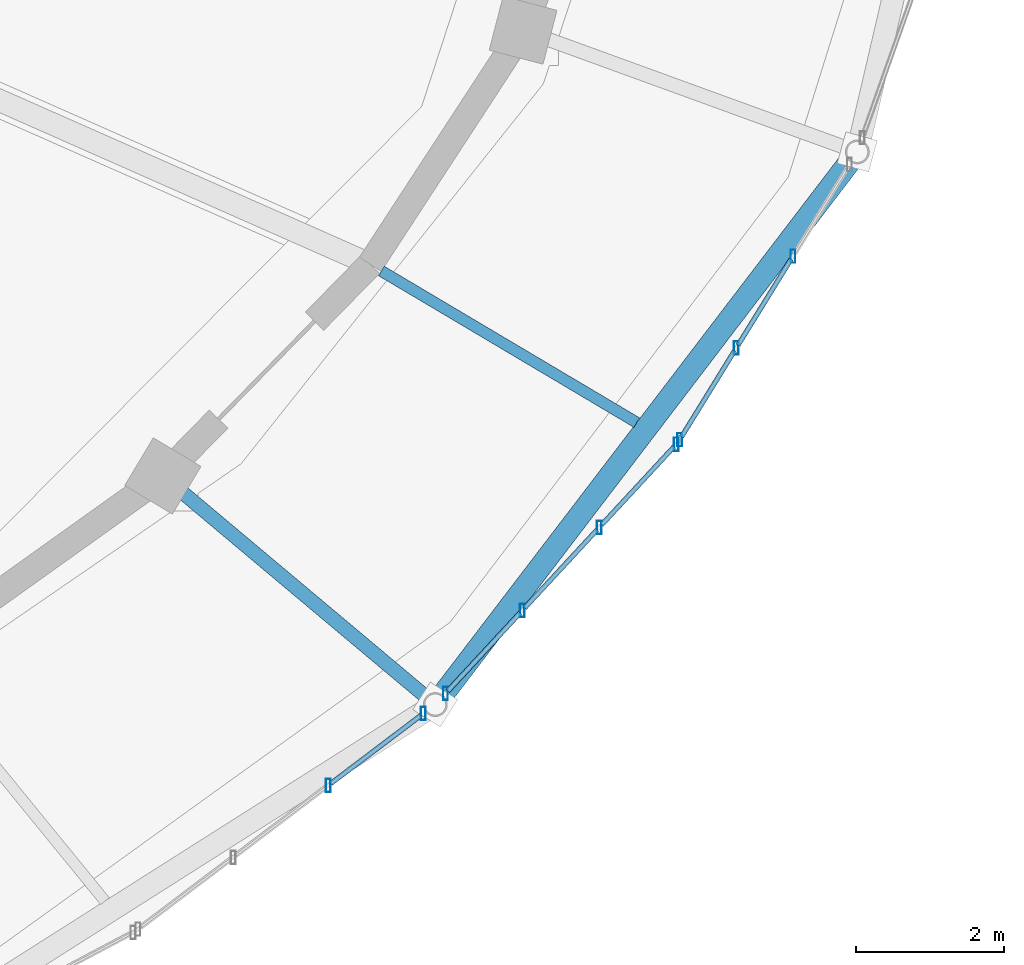
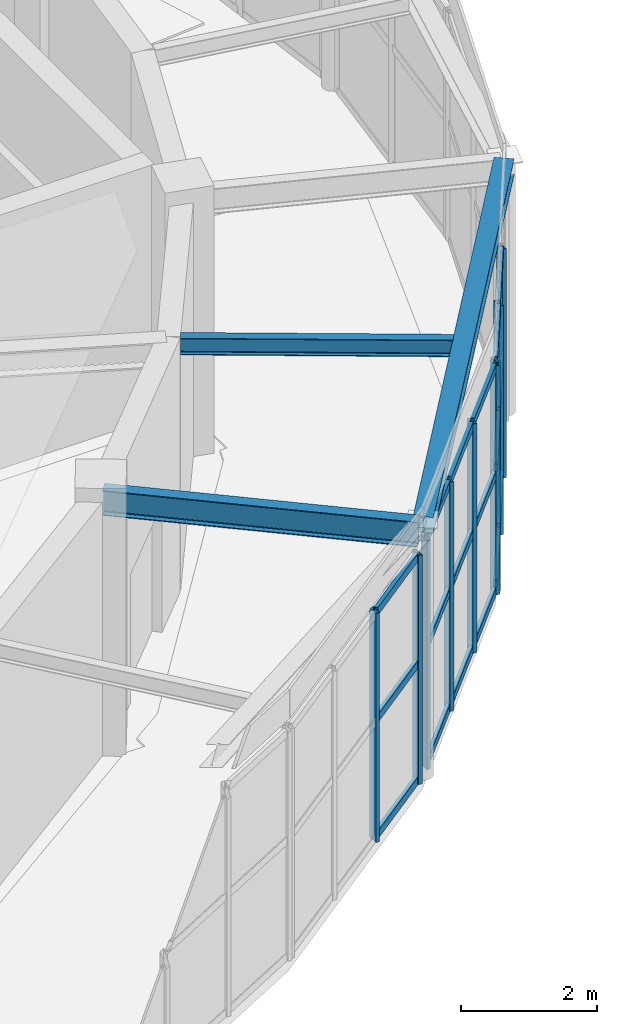
# One storey, part 45 of 108: 27 members, 3 beams, 3 elements without a shape of their own.
"""IFC4 building model written with IfcOpenShell, lengths in metres."""

from ifc_helpers import new_model, si_unit, direction, frame, origin, origin_2d, place, context, subcontext, project, spatial, hollow_rectangle, i_section, extrude, material, material_profile, profile_set, type_object, element, aggregate, save


model = new_model("IFC4")

# Units and contexts
model_context = context("Model", 3, precision=1e-05, world=origin(), true_north=direction((0.0, 1.0)))
body_context = subcontext(model_context, "Body", "Model", "MODEL_VIEW")
ifc_project = project(units=[si_unit("LENGTHUNIT", "METRE"), si_unit("AREAUNIT", "SQUARE_METRE"), si_unit("VOLUMEUNIT", "CUBIC_METRE"), si_unit("PLANEANGLEUNIT", "RADIAN"), si_unit("MASSUNIT", "GRAM", prefix="KILO")], contexts=[model_context])

# Site, building, storey
site_placement = place(None, origin())
site = spatial("IfcSite", under=ifc_project, at=site_placement, CompositionType="ELEMENT")
building_placement = place(site_placement, origin())
building = spatial("IfcBuilding", under=site, at=building_placement, Name="Tarnveldt Headland Concert Hall", CompositionType="ELEMENT")
storey_placement = place(building_placement, frame((0.0, 0.0, 9.60009765625)))
storey = spatial("IfcBuildingStorey", under=building, at=storey_placement, Name="L02", CompositionType="ELEMENT", Elevation=9.60009765625)

# Curtain wall, members
ifc_material_1 = material(Name="Marine-anodised aluminium EN AW-6063-T6", Category="aluminium")
curtain_wall_type = type_object("IfcCurtainWallType", Name="CW-F3", PredefinedType="NOTDEFINED", material=ifc_material_1)
curtain_wall_1_placement = place(storey_placement, origin())
curtain_wall_1 = element("IfcCurtainWall", 1, at=curtain_wall_1_placement, inside=storey, type_object=curtain_wall_type, Name="Curtain wall CW-L02-090", PredefinedType="NOTDEFINED")
ifc_material_profile_1 = material_profile(ifc_material_1, hollow_rectangle(XDim=0.06494140625, YDim=0.179931640625, WallThickness=0.00390625, at=origin_2d()), Name="ALU MULLION 65x180x4", Category="aluminium")
ifc_profile_set_1 = profile_set([ifc_material_profile_1], Name="Marine-anodised aluminium EN AW-6063-T6")
member_type_1 = type_object("IfcMemberType", Name="ML-180", PredefinedType="MULLION", material=ifc_profile_set_1)
member_1_placement = place(storey_placement, frame((107.181884765625, 37.466796875, 0.0), z_axis=(0.0, 0.0, 1.0), x_axis=(1.0, 0.0, 0.0)))
member_1 = element("IfcMember", 2, at=member_1_placement, type_object=member_type_1, Name="Mullion CW-L02-090-3", PredefinedType="MULLION", context=body_context, shape_type="SweptSolid", body=[
    extrude(hollow_rectangle(XDim=0.06494140625, YDim=0.179931640625, WallThickness=0.00390625, at=origin_2d()), origin(), (0.0, 0.0, 1.0), 4.10791015625),
])
member_2_placement = place(storey_placement, frame((108.465087890625, 38.43701171875, 0.0), z_axis=(0.0, 0.0, 1.0), x_axis=(1.0, 0.0, 0.0)))
member_2 = element("IfcMember", 3, at=member_2_placement, type_object=member_type_1, Name="Mullion CW-L02-090-4", PredefinedType="MULLION", context=body_context, shape_type="SweptSolid", body=[
    extrude(hollow_rectangle(XDim=0.06494140625, YDim=0.179931640625, WallThickness=0.00390625, at=origin_2d()), origin(), (0.0, 0.0, 1.0), 4.10791015625),
])

curtain_wall_2_placement = place(storey_placement, origin())
curtain_wall_2 = element("IfcCurtainWall", 4, at=curtain_wall_2_placement, inside=storey, type_object=curtain_wall_type, Name="Curtain wall CW-L02-091", PredefinedType="NOTDEFINED")
member_3_placement = place(storey_placement, frame((108.763427734375, 38.70703125, 0.0), z_axis=(0.0, 0.0, 1.0), x_axis=(1.0, 0.0, 0.0)))
member_3 = element("IfcMember", 5, at=member_3_placement, type_object=member_type_1, Name="Mullion CW-L02-091-1", PredefinedType="MULLION", context=body_context, shape_type="SweptSolid", body=[
    extrude(hollow_rectangle(XDim=0.06494140625, YDim=0.179931640625, WallThickness=0.00390625, at=origin_2d()), origin(), (0.0, 0.0, 1.0), 4.10791015625),
])
member_4_placement = place(storey_placement, frame((109.8017578125, 39.828369140625, 0.0), z_axis=(0.0, 0.0, 1.0), x_axis=(1.0, 0.0, 0.0)))
member_4 = element("IfcMember", 6, at=member_4_placement, type_object=member_type_1, Name="Mullion CW-L02-091-2", PredefinedType="MULLION", context=body_context, shape_type="SweptSolid", body=[
    extrude(hollow_rectangle(XDim=0.06494140625, YDim=0.179931640625, WallThickness=0.00390625, at=origin_2d()), origin(), (0.0, 0.0, 1.0), 4.10791015625),
])
member_5_placement = place(storey_placement, frame((110.840087890625, 40.949462890625, 0.0), z_axis=(0.0, 0.0, 1.0), x_axis=(1.0, 0.0, 0.0)))
member_5 = element("IfcMember", 7, at=member_5_placement, type_object=member_type_1, Name="Mullion CW-L02-091-3", PredefinedType="MULLION", context=body_context, shape_type="SweptSolid", body=[
    extrude(hollow_rectangle(XDim=0.06494140625, YDim=0.179931640625, WallThickness=0.00390625, at=origin_2d()), origin(), (0.0, 0.0, 1.0), 4.10791015625),
])
member_6_placement = place(storey_placement, frame((111.87841796875, 42.07080078125, 0.0), z_axis=(0.0, 0.0, 1.0), x_axis=(1.0, 0.0, 0.0)))
member_6 = element("IfcMember", 8, at=member_6_placement, type_object=member_type_1, Name="Mullion CW-L02-091-4", PredefinedType="MULLION", context=body_context, shape_type="SweptSolid", body=[
    extrude(hollow_rectangle(XDim=0.06494140625, YDim=0.179931640625, WallThickness=0.00390625, at=origin_2d()), origin(), (0.0, 0.0, 1.0), 4.10791015625),
])

curtain_wall_3_placement = place(storey_placement, origin())
curtain_wall_3 = element("IfcCurtainWall", 9, at=curtain_wall_3_placement, inside=storey, type_object=curtain_wall_type, Name="Curtain wall CW-L02-092", PredefinedType="NOTDEFINED")
member_7_placement = place(storey_placement, frame((111.926513671875, 42.134033203125, 0.0), z_axis=(0.0, 0.0, 1.0), x_axis=(1.0, 0.0, 0.0)))
member_7 = element("IfcMember", 10, at=member_7_placement, type_object=member_type_1, Name="Mullion CW-L02-092-1", PredefinedType="MULLION", context=body_context, shape_type="SweptSolid", body=[
    extrude(hollow_rectangle(XDim=0.06494140625, YDim=0.179931640625, WallThickness=0.00390625, at=origin_2d()), origin(), (0.0, 0.0, 1.0), 4.10791015625),
])
member_8_placement = place(storey_placement, frame((112.689697265625, 43.371337890625, 0.0), z_axis=(0.0, 0.0, 1.0), x_axis=(1.0, 0.0, 0.0)))
member_8 = element("IfcMember", 11, at=member_8_placement, type_object=member_type_1, Name="Mullion CW-L02-092-2", PredefinedType="MULLION", context=body_context, shape_type="SweptSolid", body=[
    extrude(hollow_rectangle(XDim=0.06494140625, YDim=0.179931640625, WallThickness=0.00390625, at=origin_2d()), origin(), (0.0, 0.0, 1.0), 4.10791015625),
])
member_9_placement = place(storey_placement, frame((113.452880859375, 44.608642578125, 0.0), z_axis=(0.0, 0.0, 1.0), x_axis=(1.0, 0.0, 0.0)))
member_9 = element("IfcMember", 12, at=member_9_placement, type_object=member_type_1, Name="Mullion CW-L02-092-3", PredefinedType="MULLION", context=body_context, shape_type="SweptSolid", body=[
    extrude(hollow_rectangle(XDim=0.06494140625, YDim=0.179931640625, WallThickness=0.00390625, at=origin_2d()), origin(), (0.0, 0.0, 1.0), 4.10791015625),
])

# Beams
ifc_material_2 = material(Name="Steel S355", Category="steel")
ifc_material_profile_2 = material_profile(ifc_material_2, i_section(OverallWidth=0.300048828125, OverallDepth=0.2900390625, WebThickness=0.008544921875, FlangeThickness=0.013916015625, FilletRadius=0.027099609375, at=origin_2d()), Name="HEA300", Category="steel")
ifc_profile_set_2 = profile_set([ifc_material_profile_2], Name="Steel S355")
beam_type_1 = type_object("IfcBeamType", Name="SB-HEA300", PredefinedType="SPANDREL", material=ifc_profile_set_2)
beam_1_placement = place(storey_placement, frame((108.66259765625, 38.606689453125, 4.4248046875), z_axis=(0.606896353007, 0.794780986629, 0.0), x_axis=(-0.794780986629, 0.606896353007, 0.0)))
element("IfcBeam", 13, at=beam_1_placement, inside=storey, type_object=beam_type_1, Name="Framing beam L02-1043", PredefinedType="SPANDREL", context=body_context, shape_type="SweptSolid", body=[
    extrude(i_section(OverallWidth=0.300048828125, OverallDepth=0.2900390625, WebThickness=0.008544921875, FlangeThickness=0.013916015625, FilletRadius=0.027099609375, at=origin_2d()), origin(), (0.0, 0.0, 1.0), 9.264892578125),
])
ifc_material_profile_3 = material_profile(ifc_material_2, i_section(OverallWidth=0.14990234375, OverallDepth=0.300048828125, WebThickness=0.007080078125, FlangeThickness=0.0107421875, FilletRadius=0.014892578125, at=origin_2d()), Name="IPE300", Category="steel")
ifc_profile_set_3 = profile_set([ifc_material_profile_3], Name="Steel S355")
beam_type_2 = type_object("IfcBeamType", Name="SB-IPE300", PredefinedType="JOIST", material=ifc_profile_set_3)
beam_2_placement = place(storey_placement, frame((107.899169921875, 44.41064453125, 4.419921875), z_axis=(0.859902377377, -0.510458520726, 0.0), x_axis=(0.510458520726, 0.859902377377, 0.0)))
element("IfcBeam", 14, at=beam_2_placement, inside=storey, type_object=beam_type_2, Name="Framing beam L02-1045", PredefinedType="JOIST", context=body_context, shape_type="SweptSolid", body=[
    extrude(i_section(OverallWidth=0.14990234375, OverallDepth=0.300048828125, WebThickness=0.007080078125, FlangeThickness=0.0107421875, FilletRadius=0.014892578125, at=origin_2d()), origin(), (0.0, 0.0, 1.0), 4.007568359375),
])
ifc_material_profile_4 = material_profile(ifc_material_2, i_section(OverallWidth=0.18994140625, OverallDepth=0.449951171875, WebThickness=0.009521484375, FlangeThickness=0.0146484375, FilletRadius=0.02099609375, at=origin_2d()), Name="IPE450", Category="steel")
ifc_profile_set_4 = profile_set([ifc_material_profile_4], Name="Steel S355")
beam_type_3 = type_object("IfcBeamType", Name="SB-IPE450", PredefinedType="BEAM", material=ifc_profile_set_4)
beam_3_placement = place(storey_placement, frame((104.979736328125, 41.618408203125, 4.344970703125), z_axis=(0.76607107782, -0.642755866351, 0.0), x_axis=(0.642755866351, 0.76607107782, 0.0)))
element("IfcBeam", 15, at=beam_3_placement, inside=storey, type_object=beam_type_3, Name="Framing beam L02-1044", PredefinedType="BEAM", context=body_context, shape_type="SweptSolid", body=[
    extrude(i_section(OverallWidth=0.18994140625, OverallDepth=0.449951171875, WebThickness=0.009521484375, FlangeThickness=0.0146484375, FilletRadius=0.02099609375, at=origin_2d()), origin(), (0.0, 0.0, 1.0), 4.699951171875),
])

# Member
ifc_material_profile_5 = material_profile(ifc_material_1, hollow_rectangle(XDim=0.06494140625, YDim=0.139892578125, WallThickness=0.00390625, at=origin_2d()), Name="ALU TRANSOM 65x140x4", Category="aluminium")
ifc_profile_set_5 = profile_set([ifc_material_profile_5], Name="Marine-anodised aluminium EN AW-6063-T6")
member_type_2 = type_object("IfcMemberType", Name="TR-140", PredefinedType="MEMBER", material=ifc_profile_set_5)
member_10_placement = place(storey_placement, frame((107.21728515625, 37.49365234375, 0.0498046875), z_axis=(0.797642369129, 0.603130708031, 0.0), x_axis=(-0.603130708031, 0.797642369129, 0.0)))
member_10 = element("IfcMember", 16, at=member_10_placement, type_object=member_type_2, Name="Transom CW-L02-090-3-1", PredefinedType="MEMBER", context=body_context, shape_type="SweptSolid", body=[
    extrude(hollow_rectangle(XDim=0.06494140625, YDim=0.139892578125, WallThickness=0.00390625, at=origin_2d()), origin(), (0.0, 0.0, 1.0), 1.52001953125),
])

member_11_placement = place(storey_placement, frame((107.21728515625, 37.49365234375, 2.135986328125), z_axis=(0.797642369129, 0.603130708031, 0.0), x_axis=(-0.603130708031, 0.797642369129, 0.0)))
member_11 = element("IfcMember", 17, at=member_11_placement, type_object=member_type_2, Name="Transom CW-L02-090-3-2", PredefinedType="MEMBER", context=body_context, shape_type="SweptSolid", body=[
    extrude(hollow_rectangle(XDim=0.06494140625, YDim=0.139892578125, WallThickness=0.00390625, at=origin_2d()), origin(), (0.0, 0.0, 1.0), 1.52001953125),
])

member_12_placement = place(storey_placement, frame((107.21728515625, 37.49365234375, 4.057861328125), z_axis=(0.797642369129, 0.603130708031, 0.0), x_axis=(-0.603130708031, 0.797642369129, 0.0)))
member_12 = element("IfcMember", 18, at=member_12_placement, type_object=member_type_2, Name="Transom CW-L02-090-3-3", PredefinedType="MEMBER", context=body_context, shape_type="SweptSolid", body=[
    extrude(hollow_rectangle(XDim=0.06494140625, YDim=0.139892578125, WallThickness=0.00390625, at=origin_2d()), origin(), (0.0, 0.0, 1.0), 1.52001953125),
])

aggregate(curtain_wall_1, [member_1, member_2, member_10, member_11, member_12])

member_13_placement = place(storey_placement, frame((108.793701171875, 38.73974609375, 0.0498046875), z_axis=(0.679441860222, 0.733729349678, 0.0), x_axis=(-0.733729349678, 0.679441860222, 0.0)))
member_13 = element("IfcMember", 19, at=member_13_placement, type_object=member_type_2, Name="Transom CW-L02-091-1-1", PredefinedType="MEMBER", context=body_context, shape_type="SweptSolid", body=[
    extrude(hollow_rectangle(XDim=0.06494140625, YDim=0.139892578125, WallThickness=0.00390625, at=origin_2d()), origin(), (0.0, 0.0, 1.0), 1.439208984375),
])

member_14_placement = place(storey_placement, frame((108.793701171875, 38.73974609375, 2.135986328125), z_axis=(0.679441860222, 0.733729349678, 0.0), x_axis=(-0.733729349678, 0.679441860222, 0.0)))
member_14 = element("IfcMember", 20, at=member_14_placement, type_object=member_type_2, Name="Transom CW-L02-091-1-2", PredefinedType="MEMBER", context=body_context, shape_type="SweptSolid", body=[
    extrude(hollow_rectangle(XDim=0.06494140625, YDim=0.139892578125, WallThickness=0.00390625, at=origin_2d()), origin(), (0.0, 0.0, 1.0), 1.439208984375),
])

member_15_placement = place(storey_placement, frame((108.793701171875, 38.73974609375, 4.057861328125), z_axis=(0.679441860222, 0.733729349678, 0.0), x_axis=(-0.733729349678, 0.679441860222, 0.0)))
member_15 = element("IfcMember", 21, at=member_15_placement, type_object=member_type_2, Name="Transom CW-L02-091-1-3", PredefinedType="MEMBER", context=body_context, shape_type="SweptSolid", body=[
    extrude(hollow_rectangle(XDim=0.06494140625, YDim=0.139892578125, WallThickness=0.00390625, at=origin_2d()), origin(), (0.0, 0.0, 1.0), 1.439208984375),
])

member_16_placement = place(storey_placement, frame((109.83203125, 39.861083984375, 0.0498046875), z_axis=(0.679526440449, 0.733651018353, 0.0), x_axis=(-0.733651018353, 0.679526440449, 0.0)))
member_16 = element("IfcMember", 22, at=member_16_placement, type_object=member_type_2, Name="Transom CW-L02-091-2-1", PredefinedType="MEMBER", context=body_context, shape_type="SweptSolid", body=[
    extrude(hollow_rectangle(XDim=0.06494140625, YDim=0.139892578125, WallThickness=0.00390625, at=origin_2d()), origin(), (0.0, 0.0, 1.0), 1.43896484375),
])

member_17_placement = place(storey_placement, frame((109.83203125, 39.861083984375, 2.135986328125), z_axis=(0.679526440449, 0.733651018353, 0.0), x_axis=(-0.733651018353, 0.679526440449, 0.0)))
member_17 = element("IfcMember", 23, at=member_17_placement, type_object=member_type_2, Name="Transom CW-L02-091-2-2", PredefinedType="MEMBER", context=body_context, shape_type="SweptSolid", body=[
    extrude(hollow_rectangle(XDim=0.06494140625, YDim=0.139892578125, WallThickness=0.00390625, at=origin_2d()), origin(), (0.0, 0.0, 1.0), 1.43896484375),
])

member_18_placement = place(storey_placement, frame((109.83203125, 39.861083984375, 4.057861328125), z_axis=(0.679526440449, 0.733651018353, 0.0), x_axis=(-0.733651018353, 0.679526440449, 0.0)))
member_18 = element("IfcMember", 24, at=member_18_placement, type_object=member_type_2, Name="Transom CW-L02-091-2-3", PredefinedType="MEMBER", context=body_context, shape_type="SweptSolid", body=[
    extrude(hollow_rectangle(XDim=0.06494140625, YDim=0.139892578125, WallThickness=0.00390625, at=origin_2d()), origin(), (0.0, 0.0, 1.0), 1.43896484375),
])

member_19_placement = place(storey_placement, frame((110.870361328125, 40.982177734375, 0.0498046875), z_axis=(0.679441860222, 0.733729349678, 0.0), x_axis=(-0.733729349678, 0.679441860222, 0.0)))
member_19 = element("IfcMember", 25, at=member_19_placement, type_object=member_type_2, Name="Transom CW-L02-091-3-1", PredefinedType="MEMBER", context=body_context, shape_type="SweptSolid", body=[
    extrude(hollow_rectangle(XDim=0.06494140625, YDim=0.139892578125, WallThickness=0.00390625, at=origin_2d()), origin(), (0.0, 0.0, 1.0), 1.439208984375),
])

member_20_placement = place(storey_placement, frame((110.870361328125, 40.982177734375, 2.135986328125), z_axis=(0.679441860222, 0.733729349678, 0.0), x_axis=(-0.733729349678, 0.679441860222, 0.0)))
member_20 = element("IfcMember", 26, at=member_20_placement, type_object=member_type_2, Name="Transom CW-L02-091-3-2", PredefinedType="MEMBER", context=body_context, shape_type="SweptSolid", body=[
    extrude(hollow_rectangle(XDim=0.06494140625, YDim=0.139892578125, WallThickness=0.00390625, at=origin_2d()), origin(), (0.0, 0.0, 1.0), 1.439208984375),
])

member_21_placement = place(storey_placement, frame((110.870361328125, 40.982177734375, 4.057861328125), z_axis=(0.679441860222, 0.733729349678, 0.0), x_axis=(-0.733729349678, 0.679441860222, 0.0)))
member_21 = element("IfcMember", 27, at=member_21_placement, type_object=member_type_2, Name="Transom CW-L02-091-3-3", PredefinedType="MEMBER", context=body_context, shape_type="SweptSolid", body=[
    extrude(hollow_rectangle(XDim=0.06494140625, YDim=0.139892578125, WallThickness=0.00390625, at=origin_2d()), origin(), (0.0, 0.0, 1.0), 1.439208984375),
])

aggregate(curtain_wall_2, [member_3, member_4, member_5, member_6, member_13, member_14, member_15, member_16, member_17, member_18, member_19, member_20, member_21])

member_22_placement = place(storey_placement, frame((111.949951171875, 42.171875, 0.0498046875), z_axis=(0.524875742193, 0.851178862083, 0.0), x_axis=(-0.851178862083, 0.524875742193, 0.0)))
member_22 = element("IfcMember", 28, at=member_22_placement, type_object=member_type_2, Name="Transom CW-L02-092-1-1", PredefinedType="MEMBER", context=body_context, shape_type="SweptSolid", body=[
    extrude(hollow_rectangle(XDim=0.06494140625, YDim=0.139892578125, WallThickness=0.00390625, at=origin_2d()), origin(), (0.0, 0.0, 1.0), 1.36474609375),
])

member_23_placement = place(storey_placement, frame((111.949951171875, 42.171875, 2.135986328125), z_axis=(0.524875742193, 0.851178862083, 0.0), x_axis=(-0.851178862083, 0.524875742193, 0.0)))
member_23 = element("IfcMember", 29, at=member_23_placement, type_object=member_type_2, Name="Transom CW-L02-092-1-2", PredefinedType="MEMBER", context=body_context, shape_type="SweptSolid", body=[
    extrude(hollow_rectangle(XDim=0.06494140625, YDim=0.139892578125, WallThickness=0.00390625, at=origin_2d()), origin(), (0.0, 0.0, 1.0), 1.36474609375),
])

member_24_placement = place(storey_placement, frame((111.949951171875, 42.171875, 4.057861328125), z_axis=(0.524875742193, 0.851178862083, 0.0), x_axis=(-0.851178862083, 0.524875742193, 0.0)))
member_24 = element("IfcMember", 30, at=member_24_placement, type_object=member_type_2, Name="Transom CW-L02-092-1-3", PredefinedType="MEMBER", context=body_context, shape_type="SweptSolid", body=[
    extrude(hollow_rectangle(XDim=0.06494140625, YDim=0.139892578125, WallThickness=0.00390625, at=origin_2d()), origin(), (0.0, 0.0, 1.0), 1.36474609375),
])

member_25_placement = place(storey_placement, frame((112.713134765625, 43.4091796875, 0.0498046875), z_axis=(0.524875742193, 0.851178862083, 0.0), x_axis=(-0.851178862083, 0.524875742193, 0.0)))
member_25 = element("IfcMember", 31, at=member_25_placement, type_object=member_type_2, Name="Transom CW-L02-092-2-1", PredefinedType="MEMBER", context=body_context, shape_type="SweptSolid", body=[
    extrude(hollow_rectangle(XDim=0.06494140625, YDim=0.139892578125, WallThickness=0.00390625, at=origin_2d()), origin(), (0.0, 0.0, 1.0), 1.36474609375),
])

member_26_placement = place(storey_placement, frame((112.713134765625, 43.4091796875, 2.135986328125), z_axis=(0.524875742193, 0.851178862083, 0.0), x_axis=(-0.851178862083, 0.524875742193, 0.0)))
member_26 = element("IfcMember", 32, at=member_26_placement, type_object=member_type_2, Name="Transom CW-L02-092-2-2", PredefinedType="MEMBER", context=body_context, shape_type="SweptSolid", body=[
    extrude(hollow_rectangle(XDim=0.06494140625, YDim=0.139892578125, WallThickness=0.00390625, at=origin_2d()), origin(), (0.0, 0.0, 1.0), 1.36474609375),
])

member_27_placement = place(storey_placement, frame((112.713134765625, 43.4091796875, 4.057861328125), z_axis=(0.524875742193, 0.851178862083, 0.0), x_axis=(-0.851178862083, 0.524875742193, 0.0)))
member_27 = element("IfcMember", 33, at=member_27_placement, type_object=member_type_2, Name="Transom CW-L02-092-2-3", PredefinedType="MEMBER", context=body_context, shape_type="SweptSolid", body=[
    extrude(hollow_rectangle(XDim=0.06494140625, YDim=0.139892578125, WallThickness=0.00390625, at=origin_2d()), origin(), (0.0, 0.0, 1.0), 1.36474609375),
])

aggregate(curtain_wall_3, [member_7, member_8, member_9, member_22, member_23, member_24, member_25, member_26, member_27])

save(model, "model.ifc")
